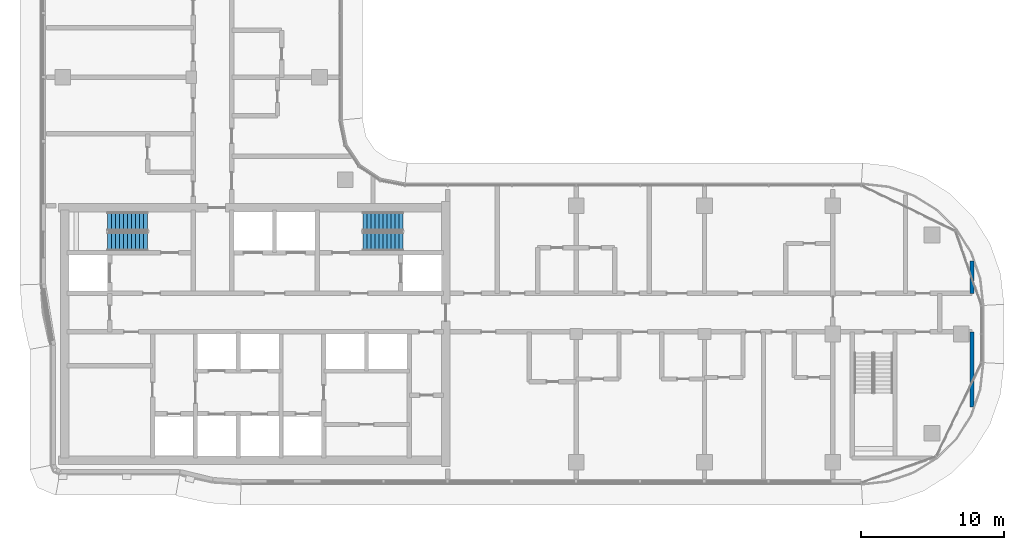
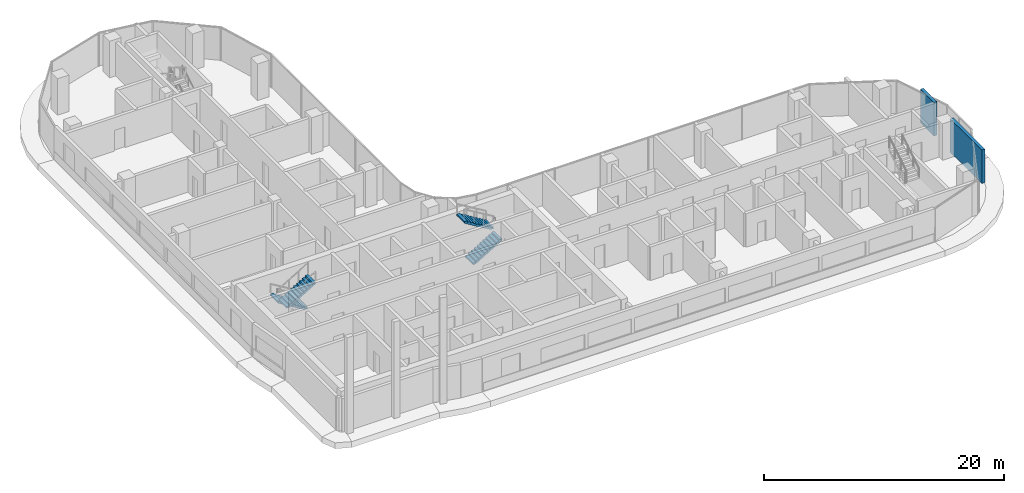
# One storey, part 14 of 24: 4 stair flights, 2 walls, 2 elements without a shape of their own.
"""IFC4 building model written with IfcOpenShell, lengths in metres."""

import ifcopenshell
import ifcopenshell.guid

model = None  # the IFC model being written
_history = None  # IfcOwnerHistory: only IFC2X3 demands one
_inside = {}  # id of a spatial element -> (the spatial element, [elements in it])
_under = {}  # id of a project, library or spatial element -> (it, [spatial elements below it])
_declared = {}  # id of a project -> (the project, [libraries it declares])
_typed = {}  # id of a type object -> (the type object, [elements of that type])
_made_of = {}  # id of a material, layer set ... -> (it, [elements and type objects made of it])


def new_model(schema):
    """Start an empty IFC model of exactly this schema.

    Asked for "IFC4X3", IfcOpenShell would pick the latest addendum, in which some entities
    have other attributes; the version numbers below select the first issue.
    IFC2X3 requires an IfcOwnerHistory on every rooted entity: one is made here for all.
    """
    global model, _history
    if schema == "IFC4X3":
        model = ifcopenshell.file(schema_version=(4, 3, 0, 0))
    else:
        model = ifcopenshell.file(schema=schema)
    _inside.clear()
    _under.clear()
    _declared.clear()
    _typed.clear()
    _made_of.clear()
    _history = None
    if model.schema == "IFC2X3":
        org = make("IfcOrganization", Name="unknown")
        user = make(
            "IfcPersonAndOrganization",
            ThePerson=make("IfcPerson", FamilyName="unknown"),
            TheOrganization=org,
        )
        app = make(
            "IfcApplication",
            ApplicationDeveloper=org,
            Version="unknown",
            ApplicationFullName="unknown",
            ApplicationIdentifier="unknown",
        )
        _history = make(
            "IfcOwnerHistory",
            OwningUser=user,
            OwningApplication=app,
            ChangeAction="ADDED",
            CreationDate=0,
        )
    return model


def make(cls, **values):
    """One entity of the class cls with the attributes given. An attribute that is None is left unset."""
    return model.create_entity(
        cls, **{name: value for name, value in values.items() if value is not None}
    )


def rooted(cls, **values):
    """An entity with a GlobalId (a new one), such as an element, a storey or a relation."""
    return make(cls, GlobalId=ifcopenshell.guid.new(), OwnerHistory=_history, **values)


def si_unit(unit_type, name, prefix=None):
    """IfcSIUnit, for example si_unit("LENGTHUNIT", "METRE", prefix="MILLI")."""
    return make("IfcSIUnit", UnitType=unit_type, Prefix=prefix, Name=name)


def assignment(units):
    """IfcUnitAssignment: the units of a project."""
    return None if units is None else make("IfcUnitAssignment", Units=units)


def point(xyz):
    """IfcCartesianPoint."""
    return None if xyz is None else make("IfcCartesianPoint", Coordinates=xyz)


def direction(xyz):
    """IfcDirection."""
    return None if xyz is None else make("IfcDirection", DirectionRatios=xyz)


def frame(location, z_axis=None, x_axis=None):
    """IfcAxis2Placement3D, a coordinate frame: its origin and axes. An axis left out is left unset."""
    return make(
        "IfcAxis2Placement3D",
        Location=point(location),
        Axis=direction(z_axis),
        RefDirection=direction(x_axis),
    )


def frame_2d(location, x_axis=None):
    """IfcAxis2Placement2D, a coordinate frame in the plane: its origin and x axis."""
    return make(
        "IfcAxis2Placement2D", Location=point(location), RefDirection=direction(x_axis)
    )


def origin():
    """The frame at (0, 0, 0) with its axes left unset."""
    return frame((0.0, 0.0, 0.0))


def place(relative_to, where):
    """IfcLocalPlacement: puts the frame where relative to a parent placement (None: the world)."""
    return make(
        "IfcLocalPlacement", PlacementRelTo=relative_to, RelativePlacement=where
    )


def context(
    kind, dimensions, precision=None, world=None, true_north=None, identifier=None
):
    """IfcGeometricRepresentationContext, for example the 3D "Model" context."""
    return make(
        "IfcGeometricRepresentationContext",
        ContextIdentifier=identifier,
        ContextType=kind,
        CoordinateSpaceDimension=dimensions,
        Precision=precision,
        WorldCoordinateSystem=world,
        TrueNorth=true_north,
    )


def subcontext(parent, identifier, kind, view, scale=None):
    """IfcGeometricRepresentationSubContext, for example "Body" below "Model"."""
    return make(
        "IfcGeometricRepresentationSubContext",
        ContextIdentifier=identifier,
        ContextType=kind,
        ParentContext=parent,
        TargetScale=scale,
        TargetView=view,
    )


def project(units=None, contexts=None):
    """IfcProject with its units and contexts."""
    return rooted(
        "IfcProject",
        Name="project",
        RepresentationContexts=contexts,
        UnitsInContext=assignment(units),
    )


def spatial(cls, under=None, at=None, **own):
    """A site, building, storey or space (cls), placed at a placement, below another one or the project."""
    s = rooted(cls, ObjectPlacement=at, **own)
    if under is not None:
        _under.setdefault(under.id(), (under, []))[1].append(s)
    return s


def point_list(points):
    """IfcCartesianPointList2D or 3D."""
    cls = (
        "IfcCartesianPointList2D" if len(points[0]) == 2 else "IfcCartesianPointList3D"
    )
    return make(cls, CoordList=points)


def profile(cls, at=None, kind="AREA", **sizes):
    """A parametric profile (cls). Its sizes go by their IFC names, for example OverallWidth=200.0."""
    return make(cls, ProfileType=kind, Position=at, **sizes)


def rectangle(**sizes):
    """IfcRectangleProfileDef."""
    return profile("IfcRectangleProfileDef", **sizes)


def extrude(swept, where, along, depth):
    """IfcExtrudedAreaSolid: the profile swept, set in the frame where, extruded along a direction by depth."""
    return make(
        "IfcExtrudedAreaSolid",
        SweptArea=swept,
        Position=where,
        ExtrudedDirection=direction(along),
        Depth=depth,
    )


def triangles(points, corners, closed=None, point_numbers=None):
    """IfcTriangulatedFaceSet: each triangle names its three corners, points numbered from 1."""
    return make(
        "IfcTriangulatedFaceSet",
        Coordinates=point_list(points),
        Closed=closed,
        CoordIndex=corners,
        PnIndex=point_numbers,
    )


def shape(context_of_items, identifier, shape_type, items):
    """IfcShapeRepresentation: the items that make up one representation, for example the "Body"."""
    return make(
        "IfcShapeRepresentation",
        ContextOfItems=context_of_items,
        RepresentationIdentifier=identifier,
        RepresentationType=shape_type,
        Items=items,
    )


def source(mapping_origin, context_of_items, identifier, shape_type, items):
    """IfcRepresentationMap: a shape defined once, which mapped items show again and again."""
    return make(
        "IfcRepresentationMap",
        MappingOrigin=mapping_origin,
        MappedRepresentation=shape(context_of_items, identifier, shape_type, items),
    )


def transform(
    local_origin,
    x_axis=None,
    y_axis=None,
    z_axis=None,
    scale=None,
    scale2=None,
    scale3=None,
    uniform=True,
):
    """IfcCartesianTransformationOperator3D, or its non-uniform kind. x_axis, y_axis, z_axis: its Axis1, 2, 3."""
    if uniform:
        return make(
            "IfcCartesianTransformationOperator3D",
            Axis1=direction(x_axis),
            Axis2=direction(y_axis),
            LocalOrigin=point(local_origin),
            Scale=scale,
            Axis3=direction(z_axis),
        )
    return make(
        "IfcCartesianTransformationOperator3DnonUniform",
        Axis1=direction(x_axis),
        Axis2=direction(y_axis),
        LocalOrigin=point(local_origin),
        Scale=scale,
        Axis3=direction(z_axis),
        Scale2=scale2,
        Scale3=scale3,
    )


def mapped(mapping_source, mapping_target):
    """IfcMappedItem: shows the shape of a source again, moved by a transform."""
    return make(
        "IfcMappedItem", MappingSource=mapping_source, MappingTarget=mapping_target
    )


def material(Name=None, Category=None):
    """IfcMaterial."""
    return make("IfcMaterial", Name=Name, Category=Category)


def layer(
    of_material, thickness, ventilated=None, Name=None, Category=None, Priority=None
):
    """IfcMaterialLayer: one layer of a wall or slab, of a material (None: an air gap)."""
    return make(
        "IfcMaterialLayer",
        Material=of_material,
        LayerThickness=thickness,
        IsVentilated=ventilated,
        Name=Name,
        Category=Category,
        Priority=Priority,
    )


def layer_set(layers, Name=None):
    """IfcMaterialLayerSet."""
    return make("IfcMaterialLayerSet", MaterialLayers=layers, LayerSetName=Name)


def made_of(thing, what):
    """Note that an element or type object is made of a material, layer set ...; save() writes the relation."""
    if what is not None:
        _made_of.setdefault(what.id(), (what, []))[1].append(thing)
    return thing


def type_object(cls, material=None, **own):
    """A type object (cls), such as IfcWallType, which elements share."""
    return made_of(rooted(cls, **own), material)


def element(
    cls,
    number,
    at=None,
    inside=None,
    cuts=None,
    type_object=None,
    material=None,
    context=None,
    identifier="Body",
    shape_type=None,
    held_by="IfcProductDefinitionShape",
    body=None,
    shapes=None,
    **own,
):
    """One element of the class cls, such as IfcWall. Its Tag is "e" and its number.

    at: its placement. inside: the storey or other place that contains it. cuts: it is an
    opening in that element (IfcRelVoidsElement). A single representation is given by context,
    identifier, shape_type and body (its items); several are given by shapes. held_by: the class
    of the entity that holds the representations. save() writes the other relations.
    """
    e = rooted(cls, Tag="e%d" % number, ObjectPlacement=at, **own)
    if body is not None:
        shapes = [shape(context, identifier, shape_type, body)]
    if shapes is not None:
        e.Representation = make(held_by, Representations=shapes)
    if inside is not None:
        _inside.setdefault(inside.id(), (inside, []))[1].append(e)
    if cuts is not None:
        rooted(
            "IfcRelVoidsElement", RelatingBuildingElement=cuts, RelatedOpeningElement=e
        )
    if type_object is not None:
        _typed.setdefault(type_object.id(), (type_object, []))[1].append(e)
    return made_of(e, material)


def aggregate(whole, parts):
    """IfcRelAggregates: a whole, such as a stair, and the parts it consists of."""
    return rooted("IfcRelAggregates", RelatingObject=whole, RelatedObjects=parts)


def save(model, path):
    """Write the relations noted so far, then the file.

    IfcRelAggregates (storeys below a building ...), IfcRelContainedInSpatialStructure (elements
    in a storey), IfcRelDefinesByType, IfcRelAssociatesMaterial and IfcRelDeclares: one each for
    every whole, place, type object, material and project.
    """
    for whole, parts in _under.values():
        aggregate(whole, parts)
    for where, things in _inside.values():
        rooted(
            "IfcRelContainedInSpatialStructure",
            RelatedElements=things,
            RelatingStructure=where,
        )
    for kind, things in _typed.values():
        rooted("IfcRelDefinesByType", RelatedObjects=things, RelatingType=kind)
    for what, things in _made_of.values():
        rooted("IfcRelAssociatesMaterial", RelatedObjects=things, RelatingMaterial=what)
    for by, libraries in _declared.values():
        rooted("IfcRelDeclares", RelatingContext=by, RelatedDefinitions=libraries)
    model.write(path)


model = new_model("IFC4")

# Units and contexts
model_context = context("Model", 3, precision=1e-05, world=origin(), true_north=direction((0.0, 1.0)))
body_context = subcontext(model_context, "Body", "Model", "MODEL_VIEW")
ifc_project = project(units=[si_unit("LENGTHUNIT", "METRE"), si_unit("AREAUNIT", "SQUARE_METRE"), si_unit("VOLUMEUNIT", "CUBIC_METRE"), si_unit("PLANEANGLEUNIT", "RADIAN"), si_unit("MASSUNIT", "GRAM", prefix="KILO")], contexts=[model_context])

# Site, building, storey
site_placement = place(None, origin())
site = spatial("IfcSite", under=ifc_project, at=site_placement, CompositionType="ELEMENT")
building_placement = place(site_placement, origin())
building = spatial("IfcBuilding", under=site, at=building_placement, Name="Ogive Portal Towers", CompositionType="ELEMENT")
storey_placement = place(building_placement, frame((0.0, 0.0, 142.199951171875)))
storey = spatial("IfcBuildingStorey", under=building, at=storey_placement, Name="L34", CompositionType="ELEMENT", Elevation=142.199951171875)

# Walls
ifc_material_1 = material(Name="Gypsum board partition on steel studs", Category="steel")
ifc_layer = layer(ifc_material_1, 0.300048828125)
ifc_layer_set = layer_set([ifc_layer], Name="WT-PART-300-EI 60")
wall_type = type_object("IfcWallType", Name="WT-PART-300-EI 60", PredefinedType="PARTITIONING", material=ifc_layer_set)
wall_1_placement = place(storey_placement, frame((95.25, 25.386962890625, 0.0), z_axis=(0.0, 0.0, 1.0), x_axis=(0.0, 1.0, 0.0)))
element("IfcWall", 1, at=wall_1_placement, inside=storey, type_object=wall_type, Name="Wall L34:w063", PredefinedType="PARTITIONING", context=body_context, shape_type="SweptSolid", body=[
    extrude(rectangle(XDim=5.262939453125, YDim=0.300048828125, at=frame_2d((2.63134765625, 0.0))), origin(), (0.0, 0.0, 1.0), 3.400146484375),
])
wall_2_placement = place(storey_placement, frame((95.25, 33.35009765625, 0.0), z_axis=(0.0, 0.0, 1.0), x_axis=(0.0, 1.0, 0.0)))
element("IfcWall", 2, at=wall_2_placement, inside=storey, type_object=wall_type, Name="Wall L34:w064", PredefinedType="PARTITIONING", context=body_context, shape_type="SweptSolid", body=[
    extrude(rectangle(XDim=2.262939453125, YDim=0.300048828125, at=frame_2d((1.13134765625, 0.0))), origin(), (0.0, 0.0, 1.0), 3.400146484375),
])

# Stair, stair flights
ifc_material_2 = material(Name="Concrete C40/50", Category="concrete")
stair_type = type_object("IfcStairType", Name="INT-STAIR", PredefinedType="HALF_TURN_STAIR", material=ifc_material_2)
stair_1_placement = place(storey_placement, origin())
stair_1 = element("IfcStair", 3, at=stair_1_placement, inside=storey, type_object=stair_type, Name="L34 Exit Stair ST-A1", PredefinedType="HALF_TURN_STAIR")
stair_flight_type = type_object("IfcStairFlightType", Name="INT-FLIGHT", PredefinedType="STRAIGHT", material=ifc_material_2)
shared_shape = source(origin(), body_context, "Body", "Tessellation", [
    triangles([(0.0, -0.650146484375, 0.0), (0.0, -0.376220703125, 0.0), (0.0, -0.192626953125, 0.0), (0.0, -0.081298828125, 0.0), (0.0, -0.024169921875, 0.0), (0.0, -0.003173828125, 0.0), (0.0, 0.0, 0.0), (0.0, 0.0029296875, 0.0), (0.0, 0.02392578125, 0.0), (0.0, 0.0810546875, 0.0), (0.0, 0.1923828125, 0.0), (0.0, 0.3759765625, 0.0), (0.0, 0.64990234375, 0.0), (0.0, -0.650146484375, 0.168212890625), (0.0, -0.376220703125, 0.168212890625), (0.0, -0.192626953125, 0.168212890625), (0.0, -0.081298828125, 0.168212890625), (0.0, -0.024169921875, 0.168212890625), (0.0, -0.003173828125, 0.168212890625), (0.0, 0.0, 0.168212890625), (0.0, 0.0029296875, 0.168212890625), (0.0, 0.02392578125, 0.168212890625), (0.0, 0.0810546875, 0.168212890625), (0.0, 0.1923828125, 0.168212890625), (0.0, 0.3759765625, 0.168212890625), (0.0, 0.64990234375, 0.168212890625), (0.280029296875, -0.650146484375, 0.168212890625), (0.280029296875, -0.376220703125, 0.168212890625), (0.280029296875, -0.192626953125, 0.168212890625), (0.280029296875, -0.081298828125, 0.168212890625), (0.280029296875, -0.024169921875, 0.168212890625), (0.280029296875, -0.003173828125, 0.168212890625), (0.280029296875, 0.0, 0.168212890625), (0.280029296875, 0.0029296875, 0.168212890625), (0.280029296875, 0.02392578125, 0.168212890625), (0.280029296875, 0.0810546875, 0.168212890625), (0.280029296875, 0.1923828125, 0.168212890625), (0.280029296875, 0.3759765625, 0.168212890625), (0.280029296875, 0.64990234375, 0.168212890625), (0.280029296875, -0.650146484375, 0.33642578125), (0.280029296875, -0.376220703125, 0.33642578125), (0.280029296875, -0.192626953125, 0.33642578125), (0.280029296875, -0.081298828125, 0.33642578125), (0.280029296875, -0.024169921875, 0.33642578125), (0.280029296875, -0.003173828125, 0.33642578125), (0.280029296875, 0.0, 0.33642578125), (0.280029296875, 0.0029296875, 0.33642578125), (0.280029296875, 0.02392578125, 0.33642578125), (0.280029296875, 0.0810546875, 0.33642578125), (0.280029296875, 0.1923828125, 0.33642578125), (0.280029296875, 0.3759765625, 0.33642578125), (0.280029296875, 0.64990234375, 0.33642578125), (0.56005859375, -0.650146484375, 0.33642578125), (0.56005859375, -0.376220703125, 0.33642578125), (0.56005859375, -0.192626953125, 0.33642578125), (0.56005859375, -0.081298828125, 0.33642578125), (0.56005859375, -0.024169921875, 0.33642578125), (0.56005859375, -0.003173828125, 0.33642578125), (0.56005859375, 0.0, 0.33642578125), (0.56005859375, 0.0029296875, 0.33642578125), (0.56005859375, 0.02392578125, 0.33642578125), (0.56005859375, 0.0810546875, 0.33642578125), (0.56005859375, 0.1923828125, 0.33642578125), (0.56005859375, 0.3759765625, 0.33642578125), (0.56005859375, 0.64990234375, 0.33642578125), (0.56005859375, -0.650146484375, 0.504638671875), (0.56005859375, -0.376220703125, 0.504638671875), (0.56005859375, -0.192626953125, 0.504638671875), (0.56005859375, -0.081298828125, 0.504638671875), (0.56005859375, -0.024169921875, 0.504638671875), (0.56005859375, -0.003173828125, 0.504638671875), (0.56005859375, 0.0, 0.504638671875), (0.56005859375, 0.0029296875, 0.504638671875), (0.56005859375, 0.02392578125, 0.504638671875), (0.56005859375, 0.0810546875, 0.504638671875), (0.56005859375, 0.1923828125, 0.504638671875), (0.56005859375, 0.3759765625, 0.504638671875), (0.56005859375, 0.64990234375, 0.504638671875), (0.840087890625, -0.650146484375, 0.504638671875), (0.840087890625, -0.376220703125, 0.504638671875), (0.840087890625, -0.192626953125, 0.504638671875), (0.840087890625, -0.081298828125, 0.504638671875), (0.840087890625, -0.024169921875, 0.504638671875), (0.840087890625, -0.003173828125, 0.504638671875), (0.840087890625, 0.0, 0.504638671875), (0.840087890625, 0.0029296875, 0.504638671875), (0.840087890625, 0.02392578125, 0.504638671875), (0.840087890625, 0.0810546875, 0.504638671875), (0.840087890625, 0.1923828125, 0.504638671875), (0.840087890625, 0.3759765625, 0.504638671875), (0.840087890625, 0.64990234375, 0.504638671875), (0.840087890625, -0.650146484375, 0.672607421875), (0.840087890625, -0.376220703125, 0.672607421875), (0.840087890625, -0.192626953125, 0.672607421875), (0.840087890625, -0.081298828125, 0.672607421875), (0.840087890625, -0.024169921875, 0.672607421875), (0.840087890625, -0.003173828125, 0.672607421875), (0.840087890625, 0.0, 0.672607421875), (0.840087890625, 0.0029296875, 0.672607421875), (0.840087890625, 0.02392578125, 0.672607421875), (0.840087890625, 0.0810546875, 0.672607421875), (0.840087890625, 0.1923828125, 0.672607421875), (0.840087890625, 0.3759765625, 0.672607421875), (0.840087890625, 0.64990234375, 0.672607421875), (1.1201171875, -0.650146484375, 0.672607421875), (1.1201171875, -0.376220703125, 0.672607421875), (1.1201171875, -0.192626953125, 0.672607421875), (1.1201171875, -0.081298828125, 0.672607421875), (1.1201171875, -0.024169921875, 0.672607421875), (1.1201171875, -0.003173828125, 0.672607421875), (1.1201171875, 0.0, 0.672607421875), (1.1201171875, 0.0029296875, 0.672607421875), (1.1201171875, 0.02392578125, 0.672607421875), (1.1201171875, 0.0810546875, 0.672607421875), (1.1201171875, 0.1923828125, 0.672607421875), (1.1201171875, 0.3759765625, 0.672607421875), (1.1201171875, 0.64990234375, 0.672607421875), (1.1201171875, -0.650146484375, 0.8408203125), (1.1201171875, -0.376220703125, 0.8408203125), (1.1201171875, -0.192626953125, 0.8408203125), (1.1201171875, -0.081298828125, 0.8408203125), (1.1201171875, -0.024169921875, 0.8408203125), (1.1201171875, -0.003173828125, 0.8408203125), (1.1201171875, 0.0, 0.8408203125), (1.1201171875, 0.0029296875, 0.8408203125), (1.1201171875, 0.02392578125, 0.8408203125), (1.1201171875, 0.0810546875, 0.8408203125), (1.1201171875, 0.1923828125, 0.8408203125), (1.1201171875, 0.3759765625, 0.8408203125), (1.1201171875, 0.64990234375, 0.8408203125), (1.39990234375, -0.650146484375, 0.8408203125), (1.39990234375, -0.376220703125, 0.8408203125), (1.39990234375, -0.192626953125, 0.8408203125), (1.39990234375, -0.081298828125, 0.8408203125), (1.39990234375, -0.024169921875, 0.8408203125), (1.39990234375, -0.003173828125, 0.8408203125), (1.39990234375, 0.0, 0.8408203125), (1.39990234375, 0.0029296875, 0.8408203125), (1.39990234375, 0.02392578125, 0.8408203125), (1.39990234375, 0.0810546875, 0.8408203125), (1.39990234375, 0.1923828125, 0.8408203125), (1.39990234375, 0.3759765625, 0.8408203125), (1.39990234375, 0.64990234375, 0.8408203125), (1.39990234375, -0.650146484375, 1.009033203125), (1.39990234375, -0.376220703125, 1.009033203125), (1.39990234375, -0.192626953125, 1.009033203125), (1.39990234375, -0.081298828125, 1.009033203125), (1.39990234375, -0.024169921875, 1.009033203125), (1.39990234375, -0.003173828125, 1.009033203125), (1.39990234375, 0.0, 1.009033203125), (1.39990234375, 0.0029296875, 1.009033203125), (1.39990234375, 0.02392578125, 1.009033203125), (1.39990234375, 0.0810546875, 1.009033203125), (1.39990234375, 0.1923828125, 1.009033203125), (1.39990234375, 0.3759765625, 1.009033203125), (1.39990234375, 0.64990234375, 1.009033203125), (1.679931640625, -0.650146484375, 1.009033203125), (1.679931640625, -0.376220703125, 1.009033203125), (1.679931640625, -0.192626953125, 1.009033203125), (1.679931640625, -0.081298828125, 1.009033203125), (1.679931640625, -0.024169921875, 1.009033203125), (1.679931640625, -0.003173828125, 1.009033203125), (1.679931640625, 0.0, 1.009033203125), (1.679931640625, 0.0029296875, 1.009033203125), (1.679931640625, 0.02392578125, 1.009033203125), (1.679931640625, 0.0810546875, 1.009033203125), (1.679931640625, 0.1923828125, 1.009033203125), (1.679931640625, 0.3759765625, 1.009033203125), (1.679931640625, 0.64990234375, 1.009033203125), (1.679931640625, -0.650146484375, 1.17724609375), (1.679931640625, -0.376220703125, 1.17724609375), (1.679931640625, -0.192626953125, 1.17724609375), (1.679931640625, -0.081298828125, 1.17724609375), (1.679931640625, -0.024169921875, 1.17724609375), (1.679931640625, -0.003173828125, 1.17724609375), (1.679931640625, 0.0, 1.17724609375), (1.679931640625, 0.0029296875, 1.17724609375), (1.679931640625, 0.02392578125, 1.17724609375), (1.679931640625, 0.0810546875, 1.17724609375), (1.679931640625, 0.1923828125, 1.17724609375), (1.679931640625, 0.3759765625, 1.17724609375), (1.679931640625, 0.64990234375, 1.17724609375), (1.9599609375, -0.650146484375, 1.17724609375), (1.9599609375, -0.376220703125, 1.17724609375), (1.9599609375, -0.192626953125, 1.17724609375), (1.9599609375, -0.081298828125, 1.17724609375), (1.9599609375, -0.024169921875, 1.17724609375), (1.9599609375, -0.003173828125, 1.17724609375), (1.9599609375, 0.0, 1.17724609375), (1.9599609375, 0.0029296875, 1.17724609375), (1.9599609375, 0.02392578125, 1.17724609375), (1.9599609375, 0.0810546875, 1.17724609375), (1.9599609375, 0.1923828125, 1.17724609375), (1.9599609375, 0.3759765625, 1.17724609375), (1.9599609375, 0.64990234375, 1.17724609375), (1.9599609375, -0.650146484375, 1.345458984375), (1.9599609375, -0.376220703125, 1.345458984375), (1.9599609375, -0.192626953125, 1.345458984375), (1.9599609375, -0.081298828125, 1.345458984375), (1.9599609375, -0.024169921875, 1.345458984375), (1.9599609375, -0.003173828125, 1.345458984375), (1.9599609375, 0.0, 1.345458984375), (1.9599609375, 0.0029296875, 1.345458984375), (1.9599609375, 0.02392578125, 1.345458984375), (1.9599609375, 0.0810546875, 1.345458984375), (1.9599609375, 0.1923828125, 1.345458984375), (1.9599609375, 0.3759765625, 1.345458984375), (1.9599609375, 0.64990234375, 1.345458984375), (2.239990234375, -0.650146484375, 1.345458984375), (2.239990234375, -0.376220703125, 1.345458984375), (2.239990234375, -0.192626953125, 1.345458984375), (2.239990234375, -0.081298828125, 1.345458984375), (2.239990234375, -0.024169921875, 1.345458984375), (2.239990234375, -0.003173828125, 1.345458984375), (2.239990234375, 0.0, 1.345458984375), (2.239990234375, 0.0029296875, 1.345458984375), (2.239990234375, 0.02392578125, 1.345458984375), (2.239990234375, 0.0810546875, 1.345458984375), (2.239990234375, 0.1923828125, 1.345458984375), (2.239990234375, 0.3759765625, 1.345458984375), (2.239990234375, 0.64990234375, 1.345458984375), (2.239990234375, -0.650146484375, 1.513671875), (2.239990234375, -0.376220703125, 1.513671875), (2.239990234375, -0.192626953125, 1.513671875), (2.239990234375, -0.081298828125, 1.513671875), (2.239990234375, -0.024169921875, 1.513671875), (2.239990234375, -0.003173828125, 1.513671875), (2.239990234375, 0.0, 1.513671875), (2.239990234375, 0.0029296875, 1.513671875), (2.239990234375, 0.02392578125, 1.513671875), (2.239990234375, 0.0810546875, 1.513671875), (2.239990234375, 0.1923828125, 1.513671875), (2.239990234375, 0.3759765625, 1.513671875), (2.239990234375, 0.64990234375, 1.513671875), (2.52001953125, -0.650146484375, 1.513671875), (2.52001953125, -0.376220703125, 1.513671875), (2.52001953125, -0.192626953125, 1.513671875), (2.52001953125, -0.081298828125, 1.513671875), (2.52001953125, -0.024169921875, 1.513671875), (2.52001953125, -0.003173828125, 1.513671875), (2.52001953125, 0.0, 1.513671875), (2.52001953125, 0.0029296875, 1.513671875), (2.52001953125, 0.02392578125, 1.513671875), (2.52001953125, 0.0810546875, 1.513671875), (2.52001953125, 0.1923828125, 1.513671875), (2.52001953125, 0.3759765625, 1.513671875), (2.52001953125, 0.64990234375, 1.513671875), (2.52001953125, -0.650146484375, 1.681884765625), (2.52001953125, -0.376220703125, 1.681884765625), (2.52001953125, -0.192626953125, 1.681884765625), (2.52001953125, -0.081298828125, 1.681884765625), (2.52001953125, -0.024169921875, 1.681884765625), (2.52001953125, -0.003173828125, 1.681884765625), (2.52001953125, 0.0, 1.681884765625), (2.52001953125, 0.0029296875, 1.681884765625), (2.52001953125, 0.02392578125, 1.681884765625), (2.52001953125, 0.0810546875, 1.681884765625), (2.52001953125, 0.1923828125, 1.681884765625), (2.52001953125, 0.3759765625, 1.681884765625), (2.52001953125, 0.64990234375, 1.681884765625), (2.800048828125, -0.650146484375, 1.681884765625), (2.800048828125, -0.376220703125, 1.681884765625), (2.800048828125, -0.192626953125, 1.681884765625), (2.800048828125, -0.081298828125, 1.681884765625), (2.800048828125, -0.024169921875, 1.681884765625), (2.800048828125, -0.003173828125, 1.681884765625), (2.800048828125, 0.0, 1.681884765625), (2.800048828125, 0.0029296875, 1.681884765625), (2.800048828125, 0.02392578125, 1.681884765625), (2.800048828125, 0.0810546875, 1.681884765625), (2.800048828125, 0.1923828125, 1.681884765625), (2.800048828125, 0.3759765625, 1.681884765625), (2.800048828125, 0.64990234375, 1.681884765625), (2.800048828125, -0.650146484375, 1.5068359375), (2.800048828125, -0.376220703125, 1.5068359375), (2.800048828125, -0.192626953125, 1.5068359375), (2.800048828125, -0.081298828125, 1.5068359375), (2.800048828125, -0.024169921875, 1.5068359375), (2.800048828125, -0.003173828125, 1.5068359375), (2.800048828125, 0.0, 1.5068359375), (2.800048828125, 0.0029296875, 1.5068359375), (2.800048828125, 0.02392578125, 1.5068359375), (2.800048828125, 0.0810546875, 1.5068359375), (2.800048828125, 0.1923828125, 1.5068359375), (2.800048828125, 0.3759765625, 1.5068359375), (2.800048828125, 0.64990234375, 1.5068359375), (0.291015625, -0.650146484375, 0.0), (0.291015625, -0.376220703125, 0.0), (0.291015625, -0.192626953125, 0.0), (0.291015625, -0.081298828125, 0.0), (0.291015625, -0.024169921875, 0.0), (0.291015625, -0.003173828125, 0.0), (0.291015625, 0.0, 0.0), (0.291015625, 0.0029296875, 0.0), (0.291015625, 0.02392578125, 0.0), (0.291015625, 0.0810546875, 0.0), (0.291015625, 0.1923828125, 0.0), (0.291015625, 0.3759765625, 0.0), (0.291015625, 0.64990234375, 0.0)], [[1, 14, 15], [1, 15, 2], [2, 15, 16], [2, 16, 3], [3, 16, 17], [3, 17, 4], [4, 17, 18], [4, 18, 5], [5, 18, 19], [5, 19, 6], [6, 19, 20], [6, 20, 7], [7, 20, 21], [7, 21, 8], [8, 21, 22], [8, 22, 9], [9, 22, 23], [9, 23, 10], [10, 23, 24], [10, 24, 11], [11, 24, 25], [11, 25, 12], [12, 25, 26], [12, 26, 13], [14, 27, 28], [14, 28, 15], [15, 28, 29], [15, 29, 16], [16, 29, 30], [16, 30, 17], [17, 30, 31], [17, 31, 18], [18, 31, 32], [18, 32, 19], [19, 32, 33], [19, 33, 20], [20, 33, 34], [20, 34, 21], [21, 34, 35], [21, 35, 22], [22, 35, 36], [22, 36, 23], [23, 36, 37], [23, 37, 24], [24, 37, 38], [24, 38, 25], [25, 38, 39], [25, 39, 26], [27, 40, 41], [27, 41, 28], [28, 41, 42], [28, 42, 29], [29, 42, 43], [29, 43, 30], [30, 43, 44], [30, 44, 31], [31, 44, 45], [31, 45, 32], [32, 45, 46], [32, 46, 33], [33, 46, 47], [33, 47, 34], [34, 47, 48], [34, 48, 35], [35, 48, 49], [35, 49, 36], [36, 49, 50], [36, 50, 37], [37, 50, 51], [37, 51, 38], [38, 51, 52], [38, 52, 39], [40, 53, 54], [40, 54, 41], [41, 54, 55], [41, 55, 42], [42, 55, 56], [42, 56, 43], [43, 56, 57], [43, 57, 44], [44, 57, 58], [44, 58, 45], [45, 58, 59], [45, 59, 46], [46, 59, 60], [46, 60, 47], [47, 60, 61], [47, 61, 48], [48, 61, 62], [48, 62, 49], [49, 62, 63], [49, 63, 50], [50, 63, 64], [50, 64, 51], [51, 64, 65], [51, 65, 52], [53, 66, 67], [53, 67, 54], [54, 67, 68], [54, 68, 55], [55, 68, 69], [55, 69, 56], [56, 69, 70], [56, 70, 57], [57, 70, 71], [57, 71, 58], [58, 71, 72], [58, 72, 59], [59, 72, 73], [59, 73, 60], [60, 73, 74], [60, 74, 61], [61, 74, 75], [61, 75, 62], [62, 75, 76], [62, 76, 63], [63, 76, 77], [63, 77, 64], [64, 77, 78], [64, 78, 65], [66, 79, 80], [66, 80, 67], [67, 80, 81], [67, 81, 68], [68, 81, 82], [68, 82, 69], [69, 82, 83], [69, 83, 70], [70, 83, 84], [70, 84, 71], [71, 84, 85], [71, 85, 72], [72, 85, 86], [72, 86, 73], [73, 86, 87], [73, 87, 74], [74, 87, 88], [74, 88, 75], [75, 88, 89], [75, 89, 76], [76, 89, 90], [76, 90, 77], [77, 90, 91], [77, 91, 78], [79, 92, 93], [79, 93, 80], [80, 93, 94], [80, 94, 81], [81, 94, 95], [81, 95, 82], [82, 95, 96], [82, 96, 83], [83, 96, 97], [83, 97, 84], [84, 97, 98], [84, 98, 85], [85, 98, 99], [85, 99, 86], [86, 99, 100], [86, 100, 87], [87, 100, 101], [87, 101, 88], [88, 101, 102], [88, 102, 89], [89, 102, 103], [89, 103, 90], [90, 103, 104], [90, 104, 91], [92, 105, 106], [92, 106, 93], [93, 106, 107], [93, 107, 94], [94, 107, 108], [94, 108, 95], [95, 108, 109], [95, 109, 96], [96, 109, 110], [96, 110, 97], [97, 110, 111], [97, 111, 98], [98, 111, 112], [98, 112, 99], [99, 112, 113], [99, 113, 100], [100, 113, 114], [100, 114, 101], [101, 114, 115], [101, 115, 102], [102, 115, 116], [102, 116, 103], [103, 116, 117], [103, 117, 104], [105, 118, 119], [105, 119, 106], [106, 119, 120], [106, 120, 107], [107, 120, 121], [107, 121, 108], [108, 121, 122], [108, 122, 109], [109, 122, 123], [109, 123, 110], [110, 123, 124], [110, 124, 111], [111, 124, 125], [111, 125, 112], [112, 125, 126], [112, 126, 113], [113, 126, 127], [113, 127, 114], [114, 127, 128], [114, 128, 115], [115, 128, 129], [115, 129, 116], [116, 129, 130], [116, 130, 117], [118, 131, 132], [118, 132, 119], [119, 132, 133], [119, 133, 120], [120, 133, 134], [120, 134, 121], [121, 134, 135], [121, 135, 122], [122, 135, 136], [122, 136, 123], [123, 136, 137], [123, 137, 124], [124, 137, 138], [124, 138, 125], [125, 138, 139], [125, 139, 126], [126, 139, 140], [126, 140, 127], [127, 140, 141], [127, 141, 128], [128, 141, 142], [128, 142, 129], [129, 142, 143], [129, 143, 130], [131, 144, 145], [131, 145, 132], [132, 145, 146], [132, 146, 133], [133, 146, 147], [133, 147, 134], [134, 147, 148], [134, 148, 135], [135, 148, 149], [135, 149, 136], [136, 149, 150], [136, 150, 137], [137, 150, 151], [137, 151, 138], [138, 151, 152], [138, 152, 139], [139, 152, 153], [139, 153, 140], [140, 153, 154], [140, 154, 141], [141, 154, 155], [141, 155, 142], [142, 155, 156], [142, 156, 143], [144, 157, 158], [144, 158, 145], [145, 158, 159], [145, 159, 146], [146, 159, 160], [146, 160, 147], [147, 160, 161], [147, 161, 148], [148, 161, 162], [148, 162, 149], [149, 162, 163], [149, 163, 150], [150, 163, 164], [150, 164, 151], [151, 164, 165], [151, 165, 152], [152, 165, 166], [152, 166, 153], [153, 166, 167], [153, 167, 154], [154, 167, 168], [154, 168, 155], [155, 168, 169], [155, 169, 156], [157, 170, 171], [157, 171, 158], [158, 171, 172], [158, 172, 159], [159, 172, 173], [159, 173, 160], [160, 173, 174], [160, 174, 161], [161, 174, 175], [161, 175, 162], [162, 175, 176], [162, 176, 163], [163, 176, 177], [163, 177, 164], [164, 177, 178], [164, 178, 165], [165, 178, 179], [165, 179, 166], [166, 179, 180], [166, 180, 167], [167, 180, 181], [167, 181, 168], [168, 181, 182], [168, 182, 169], [170, 183, 184], [170, 184, 171], [171, 184, 185], [171, 185, 172], [172, 185, 186], [172, 186, 173], [173, 186, 187], [173, 187, 174], [174, 187, 188], [174, 188, 175], [175, 188, 189], [175, 189, 176], [176, 189, 190], [176, 190, 177], [177, 190, 191], [177, 191, 178], [178, 191, 192], [178, 192, 179], [179, 192, 193], [179, 193, 180], [180, 193, 194], [180, 194, 181], [181, 194, 195], [181, 195, 182], [183, 196, 197], [183, 197, 184], [184, 197, 198], [184, 198, 185], [185, 198, 199], [185, 199, 186], [186, 199, 200], [186, 200, 187], [187, 200, 201], [187, 201, 188], [188, 201, 202], [188, 202, 189], [189, 202, 203], [189, 203, 190], [190, 203, 204], [190, 204, 191], [191, 204, 205], [191, 205, 192], [192, 205, 206], [192, 206, 193], [193, 206, 207], [193, 207, 194], [194, 207, 208], [194, 208, 195], [196, 209, 210], [196, 210, 197], [197, 210, 211], [197, 211, 198], [198, 211, 212], [198, 212, 199], [199, 212, 213], [199, 213, 200], [200, 213, 214], [200, 214, 201], [201, 214, 215], [201, 215, 202], [202, 215, 216], [202, 216, 203], [203, 216, 217], [203, 217, 204], [204, 217, 218], [204, 218, 205], [205, 218, 219], [205, 219, 206], [206, 219, 220], [206, 220, 207], [207, 220, 221], [207, 221, 208], [209, 222, 223], [209, 223, 210], [210, 223, 224], [210, 224, 211], [211, 224, 225], [211, 225, 212], [212, 225, 226], [212, 226, 213], [213, 226, 227], [213, 227, 214], [214, 227, 228], [214, 228, 215], [215, 228, 229], [215, 229, 216], [216, 229, 230], [216, 230, 217], [217, 230, 231], [217, 231, 218], [218, 231, 232], [218, 232, 219], [219, 232, 233], [219, 233, 220], [220, 233, 234], [220, 234, 221], [222, 235, 236], [222, 236, 223], [223, 236, 237], [223, 237, 224], [224, 237, 238], [224, 238, 225], [225, 238, 239], [225, 239, 226], [226, 239, 240], [226, 240, 227], [227, 240, 241], [227, 241, 228], [228, 241, 242], [228, 242, 229], [229, 242, 243], [229, 243, 230], [230, 243, 244], [230, 244, 231], [231, 244, 245], [231, 245, 232], [232, 245, 246], [232, 246, 233], [233, 246, 247], [233, 247, 234], [235, 248, 249], [235, 249, 236], [236, 249, 250], [236, 250, 237], [237, 250, 251], [237, 251, 238], [238, 251, 252], [238, 252, 239], [239, 252, 253], [239, 253, 240], [240, 253, 254], [240, 254, 241], [241, 254, 255], [241, 255, 242], [242, 255, 256], [242, 256, 243], [243, 256, 257], [243, 257, 244], [244, 257, 258], [244, 258, 245], [245, 258, 259], [245, 259, 246], [246, 259, 260], [246, 260, 247], [248, 261, 262], [248, 262, 249], [249, 262, 263], [249, 263, 250], [250, 263, 264], [250, 264, 251], [251, 264, 265], [251, 265, 252], [252, 265, 266], [252, 266, 253], [253, 266, 267], [253, 267, 254], [254, 267, 268], [254, 268, 255], [255, 268, 269], [255, 269, 256], [256, 269, 270], [256, 270, 257], [257, 270, 271], [257, 271, 258], [258, 271, 272], [258, 272, 259], [259, 272, 273], [259, 273, 260], [261, 274, 275], [261, 275, 262], [262, 275, 276], [262, 276, 263], [263, 276, 277], [263, 277, 264], [264, 277, 278], [264, 278, 265], [265, 278, 279], [265, 279, 266], [266, 279, 280], [266, 280, 267], [267, 280, 281], [267, 281, 268], [268, 281, 282], [268, 282, 269], [269, 282, 283], [269, 283, 270], [270, 283, 284], [270, 284, 271], [271, 284, 285], [271, 285, 272], [272, 285, 286], [272, 286, 273], [274, 287, 288], [274, 288, 275], [275, 288, 289], [275, 289, 276], [276, 289, 290], [276, 290, 277], [277, 290, 291], [277, 291, 278], [278, 291, 292], [278, 292, 279], [279, 292, 293], [279, 293, 280], [280, 293, 294], [280, 294, 281], [281, 294, 295], [281, 295, 282], [282, 295, 296], [282, 296, 283], [283, 296, 297], [283, 297, 284], [284, 297, 298], [284, 298, 285], [285, 298, 299], [285, 299, 286], [287, 1, 2], [287, 2, 288], [288, 2, 3], [288, 3, 289], [289, 3, 4], [289, 4, 290], [290, 4, 5], [290, 5, 291], [291, 5, 6], [291, 6, 292], [292, 6, 7], [292, 7, 293], [293, 7, 8], [293, 8, 294], [294, 8, 9], [294, 9, 295], [295, 9, 10], [295, 10, 296], [296, 10, 11], [296, 11, 297], [297, 11, 12], [297, 12, 298], [298, 12, 13], [298, 13, 299], [1, 287, 274], [13, 286, 299], [274, 261, 248], [286, 260, 273], [274, 248, 235], [286, 247, 260], [274, 235, 222], [286, 234, 247], [274, 222, 209], [286, 221, 234], [209, 196, 183], [221, 195, 208], [274, 209, 183], [286, 195, 221], [183, 170, 157], [195, 169, 182], [274, 183, 157], [286, 169, 195], [157, 144, 131], [169, 143, 156], [274, 157, 131], [286, 143, 169], [131, 118, 105], [143, 117, 130], [274, 131, 105], [286, 117, 143], [1, 274, 105], [13, 117, 286], [105, 92, 79], [117, 91, 104], [79, 66, 53], [91, 65, 78], [105, 79, 53], [117, 65, 91], [53, 40, 27], [65, 39, 52], [105, 53, 27], [117, 39, 65], [1, 105, 27], [13, 39, 117], [27, 14, 1], [39, 13, 26]], closed=True),
])
stair_flight_1_placement = place(storey_placement, frame((37.449951171875, 38.39990234375, 0.0), z_axis=(0.0, 0.0, 1.0), x_axis=(-1.0, 0.0, 0.0)))
stair_flight_1 = element("IfcStairFlight", 4, at=stair_flight_1_placement, type_object=stair_flight_type, Name="ST-A1 flight 1", NumberOfRisers=11, NumberOfTreads=10, PredefinedType="STRAIGHT", RiserHeight=0.168181818, TreadLength=0.28, context=body_context, shape_type="MappedRepresentation", body=[
    mapped(shared_shape, transform((0.0, 0.0, 0.0), scale=1.0)),
])
stair_flight_2_placement = place(storey_placement, frame((34.64990234375, 37.0, 1.85009765625), z_axis=(0.0, 0.0, 1.0), x_axis=(1.0, 0.0, 0.0)))
stair_flight_2 = element("IfcStairFlight", 5, at=stair_flight_2_placement, type_object=stair_flight_type, Name="ST-A1 flight 2", NumberOfRisers=11, NumberOfTreads=10, PredefinedType="STRAIGHT", RiserHeight=0.168181818, TreadLength=0.28, context=body_context, shape_type="MappedRepresentation", body=[
    mapped(shared_shape, transform((0.0, 0.0, 0.0), scale=1.0)),
])
aggregate(stair_1, [stair_flight_1, stair_flight_2])

stair_2_placement = place(storey_placement, origin())
stair_2 = element("IfcStair", 6, at=stair_2_placement, inside=storey, type_object=stair_type, Name="L34 Exit Stair ST-A2", PredefinedType="HALF_TURN_STAIR")
stair_flight_3_placement = place(storey_placement, frame((52.550048828125, 37.0, 0.0), z_axis=(0.0, 0.0, 1.0), x_axis=(1.0, 0.0, 0.0)))
stair_flight_3 = element("IfcStairFlight", 7, at=stair_flight_3_placement, type_object=stair_flight_type, Name="ST-A2 flight 1", NumberOfRisers=11, NumberOfTreads=10, PredefinedType="STRAIGHT", RiserHeight=0.168181818, TreadLength=0.28, context=body_context, shape_type="MappedRepresentation", body=[
    mapped(shared_shape, transform((0.0, 0.0, 0.0), scale=1.0)),
])
stair_flight_4_placement = place(storey_placement, frame((55.35009765625, 38.39990234375, 1.85009765625), z_axis=(0.0, 0.0, 1.0), x_axis=(-1.0, 0.0, 0.0)))
stair_flight_4 = element("IfcStairFlight", 8, at=stair_flight_4_placement, type_object=stair_flight_type, Name="ST-A2 flight 2", NumberOfRisers=11, NumberOfTreads=10, PredefinedType="STRAIGHT", RiserHeight=0.168181818, TreadLength=0.28, context=body_context, shape_type="MappedRepresentation", body=[
    mapped(shared_shape, transform((0.0, 0.0, 0.0), scale=1.0)),
])
aggregate(stair_2, [stair_flight_3, stair_flight_4])

save(model, "model.ifc")
